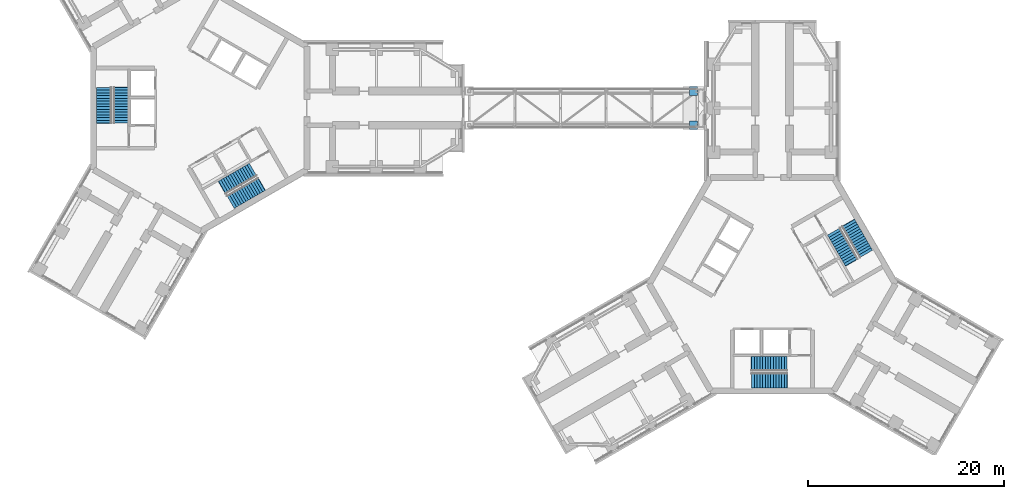
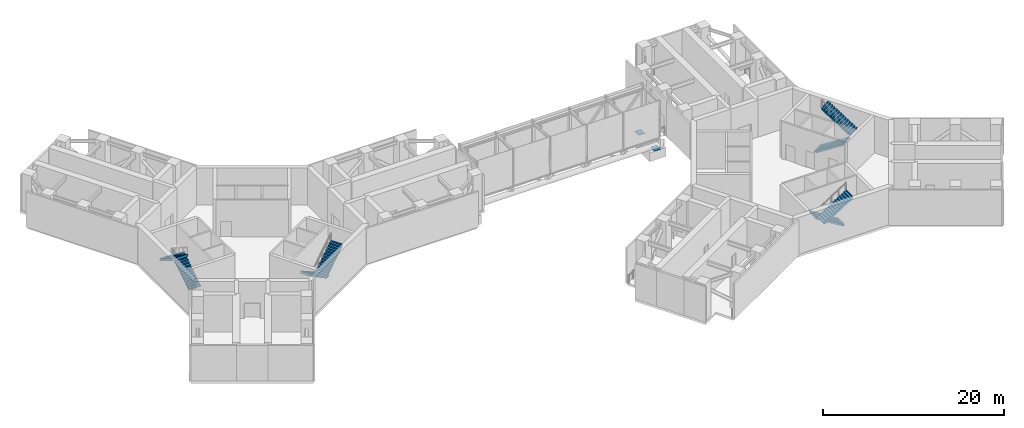
# One storey, part 11 of 15: 8 stair flights, 2 discrete accessories, 4 elements without a shape of their own.
"""IFC4 building model written with IfcOpenShell, lengths in metres."""

from ifc_helpers import new_model, si_unit, direction, frame, origin, origin_2d, place, context, subcontext, project, spatial, polyline, rectangle, outline, extrude, material, material_profile, profile_set, type_object, element, aggregate, save


model = new_model("IFC4")

# Units and contexts
model_context = context("Model", 3, precision=1e-05, world=origin(), true_north=direction((0.0, 1.0)))
body_context = subcontext(model_context, "Body", "Model", "MODEL_VIEW")
ifc_project = project(units=[si_unit("LENGTHUNIT", "METRE"), si_unit("AREAUNIT", "SQUARE_METRE"), si_unit("VOLUMEUNIT", "CUBIC_METRE"), si_unit("PLANEANGLEUNIT", "RADIAN"), si_unit("MASSUNIT", "GRAM", prefix="KILO")], contexts=[model_context])

# Site, building, storey
site_placement = place(None, origin())
site = spatial("IfcSite", under=ifc_project, at=site_placement, CompositionType="ELEMENT")
building_placement = place(site_placement, origin())
building = spatial("IfcBuilding", under=site, at=building_placement, Name="Upepo Twin Towers", CompositionType="ELEMENT")
storey_placement = place(building_placement, frame((0.0, 0.0, 165.5)))
storey = spatial("IfcBuildingStorey", under=building, at=storey_placement, Name="L40", CompositionType="ELEMENT", Elevation=165.5)

# Stair, stair flights
ifc_material_1 = material(Name="Concrete C40/50", Category="concrete")
stair_type = type_object("IfcStairType", Name="Core stair, two flights", PredefinedType="HALF_TURN_STAIR", material=ifc_material_1)
stair_1_placement = place(storey_placement, origin())
stair_1 = element("IfcStair", 1, at=stair_1_placement, inside=storey, type_object=stair_type, Name="T1 stair S1 L40", PredefinedType="HALF_TURN_STAIR")
ifc_material_2 = material(Name="Concrete C40/50", Category="concrete")
stair_flight_type = type_object("IfcStairFlightType", Name="Stair flight 1500 RC", PredefinedType="STRAIGHT", material=ifc_material_2)
stair_flight_1_placement = place(storey_placement, frame((-8.14990234375, -1.52001953125, 0.0), z_axis=(0.0, 0.0, 1.0), x_axis=(0.0, 1.0, 0.0)))
stair_flight_1 = element("IfcStairFlight", 2, at=stair_flight_1_placement, type_object=stair_flight_type, Name="Stair S1 flight 1", NumberOfRisers=14, NumberOfTreads=13, PredefinedType="STRAIGHT", RiserHeight=0.178571429, TreadLength=0.28, context=body_context, shape_type="SweptSolid", body=[
    extrude(outline(polyline([(0.0, 0.0), (0.0, 0.178466796875), (0.280029296875, 0.178466796875), (0.280029296875, 0.357177734375), (0.56005859375, 0.357177734375), (0.56005859375, 0.53564453125), (0.840087890625, 0.53564453125), (0.840087890625, 0.71435546875), (1.1201171875, 0.71435546875), (1.1201171875, 0.892822265625), (1.39990234375, 0.892822265625), (1.39990234375, 1.071533203125), (1.679931640625, 1.071533203125), (1.679931640625, 1.25), (1.9599609375, 1.25), (1.9599609375, 1.428466796875), (2.239990234375, 1.428466796875), (2.239990234375, 1.607177734375), (2.52001953125, 1.607177734375), (2.52001953125, 1.78564453125), (2.800048828125, 1.78564453125), (2.800048828125, 1.96435546875), (3.080078125, 1.96435546875), (3.080078125, 2.142822265625), (3.360107421875, 2.142822265625), (3.360107421875, 2.321533203125), (3.639892578125, 2.321533203125), (3.639892578125, 2.5), (3.68994140625, 2.5), (3.68994140625, 2.1435546875), (0.328857421875, 0.0), (0.0, 0.0)])), frame((0.0, 0.75, 0.0), z_axis=(0.0, -1.0, 0.0), x_axis=(1.0, 0.0, 0.0)), (0.0, 0.0, 1.0), 1.5),
])
stair_flight_2_placement = place(storey_placement, frame((-9.8583984375, 2.1201171875, 2.5), z_axis=(0.0, 0.0, 1.0), x_axis=(0.0, -1.0, 0.0)))
stair_flight_2 = element("IfcStairFlight", 3, at=stair_flight_2_placement, type_object=stair_flight_type, Name="Stair S1 flight 2", NumberOfRisers=14, NumberOfTreads=13, PredefinedType="STRAIGHT", RiserHeight=0.178571429, TreadLength=0.28, context=body_context, shape_type="SweptSolid", body=[
    extrude(outline(polyline([(0.0, 0.0), (0.0, 0.178466796875), (0.280029296875, 0.178466796875), (0.280029296875, 0.357177734375), (0.56005859375, 0.357177734375), (0.56005859375, 0.53564453125), (0.840087890625, 0.53564453125), (0.840087890625, 0.71435546875), (1.1201171875, 0.71435546875), (1.1201171875, 0.892822265625), (1.39990234375, 0.892822265625), (1.39990234375, 1.071533203125), (1.679931640625, 1.071533203125), (1.679931640625, 1.25), (1.9599609375, 1.25), (1.9599609375, 1.428466796875), (2.239990234375, 1.428466796875), (2.239990234375, 1.607177734375), (2.52001953125, 1.607177734375), (2.52001953125, 1.78564453125), (2.800048828125, 1.78564453125), (2.800048828125, 1.96435546875), (3.080078125, 1.96435546875), (3.080078125, 2.142822265625), (3.360107421875, 2.142822265625), (3.360107421875, 2.321533203125), (3.639892578125, 2.321533203125), (3.639892578125, 2.5), (3.68994140625, 2.5), (3.68994140625, 2.1435546875), (0.328857421875, 0.0), (0.0, 0.0)])), frame((0.0, 0.75, 0.0), z_axis=(0.0, -1.0, 0.0), x_axis=(1.0, 0.0, 0.0)), (0.0, 0.0, 1.0), 1.5),
])
aggregate(stair_1, [stair_flight_1, stair_flight_2])

stair_2_placement = place(storey_placement, origin())
stair_2 = element("IfcStair", 4, at=stair_2_placement, inside=storey, type_object=stair_type, Name="T1 stair S2 L40", PredefinedType="HALF_TURN_STAIR")
stair_flight_3_placement = place(storey_placement, frame((5.391357421875, -6.298095703125, 0.0), z_axis=(0.0, 0.0, 1.0), x_axis=(-0.866025403784, -0.5, 0.0)))
stair_flight_3 = element("IfcStairFlight", 5, at=stair_flight_3_placement, type_object=stair_flight_type, Name="Stair S2 flight 1", NumberOfRisers=14, NumberOfTreads=13, PredefinedType="STRAIGHT", RiserHeight=0.178571429, TreadLength=0.28, context=body_context, shape_type="SweptSolid", body=[
    extrude(outline(polyline([(0.0, 0.0), (0.0, 0.178466796875), (0.280029296875, 0.178466796875), (0.280029296875, 0.357177734375), (0.56005859375, 0.357177734375), (0.56005859375, 0.53564453125), (0.840087890625, 0.53564453125), (0.840087890625, 0.71435546875), (1.1201171875, 0.71435546875), (1.1201171875, 0.892822265625), (1.39990234375, 0.892822265625), (1.39990234375, 1.071533203125), (1.679931640625, 1.071533203125), (1.679931640625, 1.25), (1.9599609375, 1.25), (1.9599609375, 1.428466796875), (2.239990234375, 1.428466796875), (2.239990234375, 1.607177734375), (2.52001953125, 1.607177734375), (2.52001953125, 1.78564453125), (2.800048828125, 1.78564453125), (2.800048828125, 1.96435546875), (3.080078125, 1.96435546875), (3.080078125, 2.142822265625), (3.360107421875, 2.142822265625), (3.360107421875, 2.321533203125), (3.639892578125, 2.321533203125), (3.639892578125, 2.5), (3.68994140625, 2.5), (3.68994140625, 2.1435546875), (0.328857421875, 0.0), (0.0, 0.0)])), frame((0.0, 0.75, 0.0), z_axis=(0.0, -1.0, 0.0), x_axis=(1.0, 0.0, 0.0)), (0.0, 0.0, 1.0), 1.5),
])
stair_flight_4_placement = place(storey_placement, frame((3.09326171875, -9.59765625, 2.5), z_axis=(0.0, 0.0, 1.0), x_axis=(0.866025403784, 0.5, 0.0)))
stair_flight_4 = element("IfcStairFlight", 6, at=stair_flight_4_placement, type_object=stair_flight_type, Name="Stair S2 flight 2", NumberOfRisers=14, NumberOfTreads=13, PredefinedType="STRAIGHT", RiserHeight=0.178571429, TreadLength=0.28, context=body_context, shape_type="SweptSolid", body=[
    extrude(outline(polyline([(0.0, 0.0), (0.0, 0.178466796875), (0.280029296875, 0.178466796875), (0.280029296875, 0.357177734375), (0.56005859375, 0.357177734375), (0.56005859375, 0.53564453125), (0.840087890625, 0.53564453125), (0.840087890625, 0.71435546875), (1.1201171875, 0.71435546875), (1.1201171875, 0.892822265625), (1.39990234375, 0.892822265625), (1.39990234375, 1.071533203125), (1.679931640625, 1.071533203125), (1.679931640625, 1.25), (1.9599609375, 1.25), (1.9599609375, 1.428466796875), (2.239990234375, 1.428466796875), (2.239990234375, 1.607177734375), (2.52001953125, 1.607177734375), (2.52001953125, 1.78564453125), (2.800048828125, 1.78564453125), (2.800048828125, 1.96435546875), (3.080078125, 1.96435546875), (3.080078125, 2.142822265625), (3.360107421875, 2.142822265625), (3.360107421875, 2.321533203125), (3.639892578125, 2.321533203125), (3.639892578125, 2.5), (3.68994140625, 2.5), (3.68994140625, 2.1435546875), (0.328857421875, 0.0), (0.0, 0.0)])), frame((0.0, 0.75, 0.0), z_axis=(0.0, -1.0, 0.0), x_axis=(1.0, 0.0, 0.0)), (0.0, 0.0, 1.0), 1.5),
])
aggregate(stair_2, [stair_flight_3, stair_flight_4])

stair_3_placement = place(storey_placement, origin())
stair_3 = element("IfcStair", 7, at=stair_3_placement, inside=storey, type_object=stair_type, Name="T2 stair S1 L40", PredefinedType="HALF_TURN_STAIR")
stair_flight_5_placement = place(storey_placement, frame((60.02001953125, -26.14990234375, 0.0), z_axis=(0.0, 0.0, 1.0), x_axis=(-1.0, 0.0, 0.0)))
stair_flight_5 = element("IfcStairFlight", 8, at=stair_flight_5_placement, type_object=stair_flight_type, Name="Stair S1 flight 1", NumberOfRisers=14, NumberOfTreads=13, PredefinedType="STRAIGHT", RiserHeight=0.178571429, TreadLength=0.28, context=body_context, shape_type="SweptSolid", body=[
    extrude(outline(polyline([(0.0, 0.0), (0.0, 0.178466796875), (0.280029296875, 0.178466796875), (0.280029296875, 0.357177734375), (0.56005859375, 0.357177734375), (0.56005859375, 0.53564453125), (0.840087890625, 0.53564453125), (0.840087890625, 0.71435546875), (1.1201171875, 0.71435546875), (1.1201171875, 0.892822265625), (1.39990234375, 0.892822265625), (1.39990234375, 1.071533203125), (1.679931640625, 1.071533203125), (1.679931640625, 1.25), (1.9599609375, 1.25), (1.9599609375, 1.428466796875), (2.239990234375, 1.428466796875), (2.239990234375, 1.607177734375), (2.52001953125, 1.607177734375), (2.52001953125, 1.78564453125), (2.800048828125, 1.78564453125), (2.800048828125, 1.96435546875), (3.080078125, 1.96435546875), (3.080078125, 2.142822265625), (3.360107421875, 2.142822265625), (3.360107421875, 2.321533203125), (3.639892578125, 2.321533203125), (3.639892578125, 2.5), (3.68994140625, 2.5), (3.68994140625, 2.1435546875), (0.328857421875, 0.0), (0.0, 0.0)])), frame((0.0, 0.75, 0.0), z_axis=(0.0, -1.0, 0.0), x_axis=(1.0, 0.0, 0.0)), (0.0, 0.0, 1.0), 1.5),
])
stair_flight_6_placement = place(storey_placement, frame((56.3798828125, -27.8583984375, 2.5), z_axis=(0.0, 0.0, 1.0), x_axis=(1.0, 0.0, 0.0)))
stair_flight_6 = element("IfcStairFlight", 9, at=stair_flight_6_placement, type_object=stair_flight_type, Name="Stair S1 flight 2", NumberOfRisers=14, NumberOfTreads=13, PredefinedType="STRAIGHT", RiserHeight=0.178571429, TreadLength=0.28, context=body_context, shape_type="SweptSolid", body=[
    extrude(outline(polyline([(0.0, 0.0), (0.0, 0.178466796875), (0.280029296875, 0.178466796875), (0.280029296875, 0.357177734375), (0.56005859375, 0.357177734375), (0.56005859375, 0.53564453125), (0.840087890625, 0.53564453125), (0.840087890625, 0.71435546875), (1.1201171875, 0.71435546875), (1.1201171875, 0.892822265625), (1.39990234375, 0.892822265625), (1.39990234375, 1.071533203125), (1.679931640625, 1.071533203125), (1.679931640625, 1.25), (1.9599609375, 1.25), (1.9599609375, 1.428466796875), (2.239990234375, 1.428466796875), (2.239990234375, 1.607177734375), (2.52001953125, 1.607177734375), (2.52001953125, 1.78564453125), (2.800048828125, 1.78564453125), (2.800048828125, 1.96435546875), (3.080078125, 1.96435546875), (3.080078125, 2.142822265625), (3.360107421875, 2.142822265625), (3.360107421875, 2.321533203125), (3.639892578125, 2.321533203125), (3.639892578125, 2.5), (3.68994140625, 2.5), (3.68994140625, 2.1435546875), (0.328857421875, 0.0), (0.0, 0.0)])), frame((0.0, 0.75, 0.0), z_axis=(0.0, -1.0, 0.0), x_axis=(1.0, 0.0, 0.0)), (0.0, 0.0, 1.0), 1.5),
])
aggregate(stair_3, [stair_flight_5, stair_flight_6])

stair_4_placement = place(storey_placement, origin())
stair_4 = element("IfcStair", 10, at=stair_4_placement, inside=storey, type_object=stair_type, Name="T2 stair S2 L40", PredefinedType="HALF_TURN_STAIR")
stair_flight_7_placement = place(storey_placement, frame((64.798095703125, -12.608642578125, 0.0), z_axis=(0.0, 0.0, 1.0), x_axis=(0.5, -0.866025403784, 0.0)))
stair_flight_7 = element("IfcStairFlight", 11, at=stair_flight_7_placement, type_object=stair_flight_type, Name="Stair S2 flight 1", NumberOfRisers=14, NumberOfTreads=13, PredefinedType="STRAIGHT", RiserHeight=0.178571429, TreadLength=0.28, context=body_context, shape_type="SweptSolid", body=[
    extrude(outline(polyline([(0.0, 0.0), (0.0, 0.178466796875), (0.280029296875, 0.178466796875), (0.280029296875, 0.357177734375), (0.56005859375, 0.357177734375), (0.56005859375, 0.53564453125), (0.840087890625, 0.53564453125), (0.840087890625, 0.71435546875), (1.1201171875, 0.71435546875), (1.1201171875, 0.892822265625), (1.39990234375, 0.892822265625), (1.39990234375, 1.071533203125), (1.679931640625, 1.071533203125), (1.679931640625, 1.25), (1.9599609375, 1.25), (1.9599609375, 1.428466796875), (2.239990234375, 1.428466796875), (2.239990234375, 1.607177734375), (2.52001953125, 1.607177734375), (2.52001953125, 1.78564453125), (2.800048828125, 1.78564453125), (2.800048828125, 1.96435546875), (3.080078125, 1.96435546875), (3.080078125, 2.142822265625), (3.360107421875, 2.142822265625), (3.360107421875, 2.321533203125), (3.639892578125, 2.321533203125), (3.639892578125, 2.5), (3.68994140625, 2.5), (3.68994140625, 2.1435546875), (0.328857421875, 0.0), (0.0, 0.0)])), frame((0.0, 0.75, 0.0), z_axis=(0.0, -1.0, 0.0), x_axis=(1.0, 0.0, 0.0)), (0.0, 0.0, 1.0), 1.5),
])
stair_flight_8_placement = place(storey_placement, frame((68.09765625, -14.90673828125, 2.5), z_axis=(0.0, 0.0, 1.0), x_axis=(-0.5, 0.866025403784, 0.0)))
stair_flight_8 = element("IfcStairFlight", 12, at=stair_flight_8_placement, type_object=stair_flight_type, Name="Stair S2 flight 2", NumberOfRisers=14, NumberOfTreads=13, PredefinedType="STRAIGHT", RiserHeight=0.178571429, TreadLength=0.28, context=body_context, shape_type="SweptSolid", body=[
    extrude(outline(polyline([(0.0, 0.0), (0.0, 0.178466796875), (0.280029296875, 0.178466796875), (0.280029296875, 0.357177734375), (0.56005859375, 0.357177734375), (0.56005859375, 0.53564453125), (0.840087890625, 0.53564453125), (0.840087890625, 0.71435546875), (1.1201171875, 0.71435546875), (1.1201171875, 0.892822265625), (1.39990234375, 0.892822265625), (1.39990234375, 1.071533203125), (1.679931640625, 1.071533203125), (1.679931640625, 1.25), (1.9599609375, 1.25), (1.9599609375, 1.428466796875), (2.239990234375, 1.428466796875), (2.239990234375, 1.607177734375), (2.52001953125, 1.607177734375), (2.52001953125, 1.78564453125), (2.800048828125, 1.78564453125), (2.800048828125, 1.96435546875), (3.080078125, 1.96435546875), (3.080078125, 2.142822265625), (3.360107421875, 2.142822265625), (3.360107421875, 2.321533203125), (3.639892578125, 2.321533203125), (3.639892578125, 2.5), (3.68994140625, 2.5), (3.68994140625, 2.1435546875), (0.328857421875, 0.0), (0.0, 0.0)])), frame((0.0, 0.75, 0.0), z_axis=(0.0, -1.0, 0.0), x_axis=(1.0, 0.0, 0.0)), (0.0, 0.0, 1.0), 1.5),
])
aggregate(stair_4, [stair_flight_7, stair_flight_8])

# Discrete accessories
ifc_material_3 = material(Name="Steel S355 with PTFE slide", Category="steel")
ifc_material_profile = material_profile(ifc_material_3, rectangle(XDim=0.800048828125, YDim=0.89990234375, at=origin_2d()), Name="BEARING 800x900 SLIDING")
ifc_profile_set = profile_set([ifc_material_profile], Name="Steel S355 with PTFE slide")
discrete_accessory_type = type_object("IfcDiscreteAccessoryType", Name="Bridge bearing, sliding", PredefinedType="USERDEFINED", material=ifc_profile_set)
for number, where, z_axis, x_axis, name in (
    (13, (50.43994140625, 1.75, -1.489013671875), (0.0, 0.0, 1.0), (1.0, 0.0, 0.0), "BR2 sliding bearing at T2 N"),
    (14, (50.43994140625, -1.75, -1.489013671875), (0.0, 0.0, 1.0), (1.0, 0.0, 0.0), "BR2 sliding bearing at T2 S"),
):
    element("IfcDiscreteAccessory", number, at=place(storey_placement, frame(where, z_axis=z_axis, x_axis=x_axis)), inside=storey, type_object=discrete_accessory_type, Name=name, ObjectType="BEARING", PredefinedType="USERDEFINED", context=body_context, shape_type="SweptSolid", body=[
        extrude(rectangle(XDim=0.800048828125, YDim=0.89990234375, at=origin_2d()), origin(), (0.0, 0.0, 1.0), 0.044921875),
    ])

save(model, "model.ifc")
